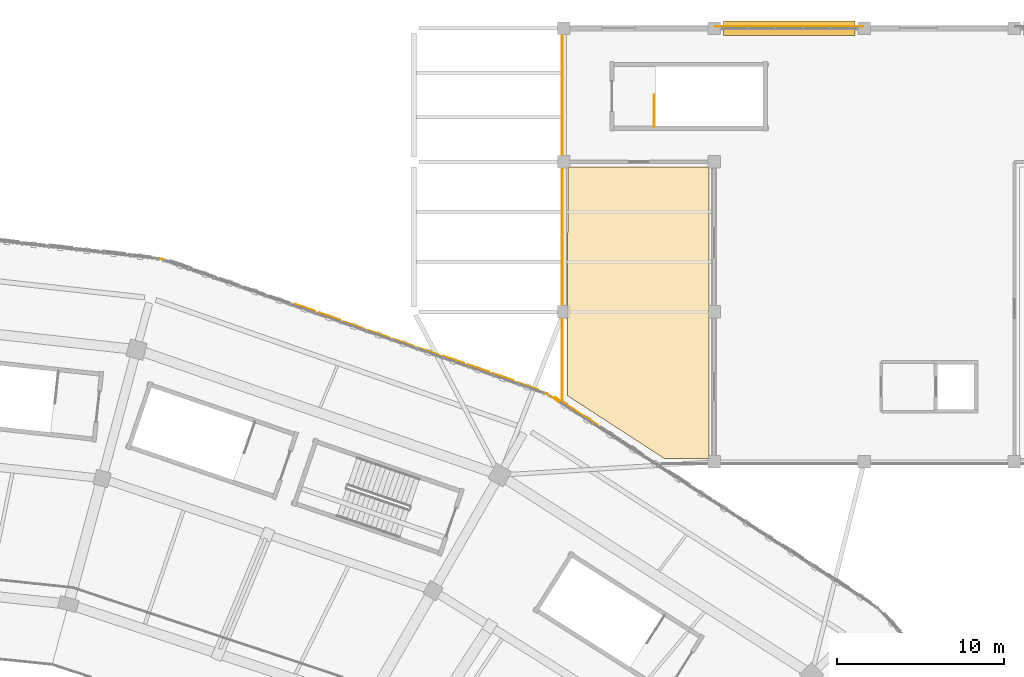
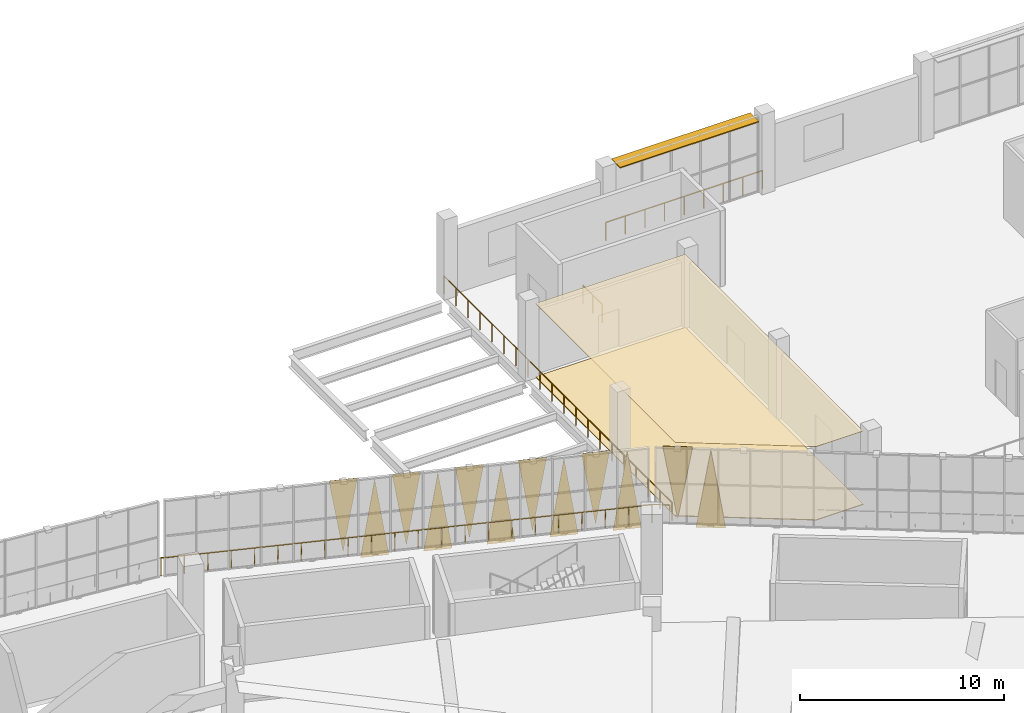
# One storey, part 150 of 152: 14 coverings, 5 railings, 1 shading device.
"""IFC4 building model written with IfcOpenShell, lengths in metres."""

from ifc_helpers import new_model, si_unit, direction, frame, origin, origin_2d, place, context, subcontext, project, spatial, polyline, rectangle, circle, outline, extrude, material, layer, layer_set, type_object, element, save


model = new_model("IFC4")

# Units and contexts
model_context = context("Model", 3, precision=1e-05, world=origin(), true_north=direction((0.0, 1.0)))
body_context = subcontext(model_context, "Body", "Model", "MODEL_VIEW")
ifc_project = project(units=[si_unit("LENGTHUNIT", "METRE"), si_unit("AREAUNIT", "SQUARE_METRE"), si_unit("VOLUMEUNIT", "CUBIC_METRE"), si_unit("PLANEANGLEUNIT", "RADIAN"), si_unit("MASSUNIT", "GRAM", prefix="KILO")], contexts=[model_context])

# Site, building, storey
site_placement = place(None, origin())
site = spatial("IfcSite", under=ifc_project, at=site_placement, CompositionType="ELEMENT")
building_placement = place(site_placement, origin())
building = spatial("IfcBuilding", under=site, at=building_placement, Name="Zevraka Park Crest Stadium", CompositionType="ELEMENT")
storey_placement = place(building_placement, frame((0.0, 0.0, 15.0)))
storey = spatial("IfcBuildingStorey", under=building, at=storey_placement, Name="L03", CompositionType="ELEMENT", Elevation=15.0)

# Coverings
ifc_material_1 = material(Name="Architectural golden-bronze perforated aluminium", Category="aluminium")
ifc_layer_1 = layer(ifc_material_1, 0.034912109375)
ifc_layer_set_1 = layer_set([ifc_layer_1], Name="Architectural golden-bronze perforated aluminium")
covering_type_1 = type_object("IfcCoveringType", Name="CLD01", PredefinedType="CLADDING", material=ifc_layer_set_1)
covering_1_placement = place(storey_placement, frame((163.04296875, 160.177978515625, -0.260009765625), z_axis=(-0.543244378079, -0.839574619231, 6.65484e-05), x_axis=(-0.83957462109, 0.543244379282, 0.0)))
element("IfcCovering", 1, at=covering_1_placement, inside=storey, type_object=covering_type_1, Name="Triangular Golden-Bronze Perforated Cladding L03-03-13", PredefinedType="CLADDING", context=body_context, shape_type="SweptSolid", body=[
    extrude(outline(polyline([(0.0, 0.0), (1.4673306729433993, 6.776263578034403e-21), (0.7338642785051281, -4.620117197730533), (0.0, 0.0)])), origin(), (0.0, 0.0, -1.0), 0.034912109375),
])
covering_2_placement = place(storey_placement, frame((160.445068359375, 161.860107421875, 4.52001953125), z_axis=(-0.543713251999, -0.839271052183, 2.3825329e-05), x_axis=(0.839271052422, -0.543713252153, 0.0)))
element("IfcCovering", 2, at=covering_2_placement, inside=storey, type_object=covering_type_1, Name="Triangular Golden-Bronze Perforated Cladding L03-03-14", PredefinedType="CLADDING", context=body_context, shape_type="SweptSolid", body=[
    extrude(outline(polyline([(0.0, 0.0), (1.4678614140157709, 0.0), (0.7339970782544862, -4.300048829345455), (0.0, 0.0)])), origin(), (0.0, 0.0, -1.0), 0.034912109375),
])
covering_3_placement = place(storey_placement, frame((159.5, 162.322998046875, -0.260009765625), z_axis=(0.33001229605, 0.943976625189, 0.000124706276), x_axis=(-0.94397663253, 0.330012298616, 0.0)))
element("IfcCovering", 3, at=covering_3_placement, inside=storey, type_object=covering_type_1, Name="Triangular Golden-Bronze Perforated Cladding L03-04-1", PredefinedType="CLADDING", context=body_context, shape_type="SweptSolid", body=[
    extrude(outline(polyline([(0.0, 0.0), (1.4152230616345542, 0.0), (0.7074101072951724, 4.620117223425236), (0.0, 0.0)])), origin(), (0.0, 0.0, -1.0), 0.034912109375),
])
covering_4_placement = place(storey_placement, frame((156.677001953125, 163.30908203125, 4.52001953125), z_axis=(-0.32939719824, -0.944191445139, 2.6803822e-05), x_axis=(0.944191445478, -0.329397198358, 0.0)))
element("IfcCovering", 4, at=covering_4_placement, inside=storey, type_object=covering_type_1, Name="Triangular Golden-Bronze Perforated Cladding L03-04-2", PredefinedType="CLADDING", context=body_context, shape_type="SweptSolid", body=[
    extrude(outline(polyline([(0.0, 0.0), (1.4149010843069405, 0.0), (0.7074907517724105, -4.300048829669675), (0.0, 0.0)])), origin(), (0.0, 0.0, -1.0), 0.034912109375),
])
covering_5_placement = place(storey_placement, frame((156.52587890625, 163.362060546875, -0.260009765625), z_axis=(-0.330012297693, -0.943976629887, 7.4823766e-05), x_axis=(-0.94397663253, 0.330012298616, 0.0)))
element("IfcCovering", 5, at=covering_5_placement, inside=storey, type_object=covering_type_1, Name="Triangular Golden-Bronze Perforated Cladding L03-04-3", PredefinedType="CLADDING", context=body_context, shape_type="SweptSolid", body=[
    extrude(outline(polyline([(0.0, 0.0), (1.4152230616345542, 0.0), (0.70773238493054, -4.620117200433086), (0.0, 0.0)])), origin(), (0.0, 0.0, -1.0), 0.034912109375),
])
covering_6_placement = place(storey_placement, frame((153.702880859375, 164.34912109375, 4.52001953125), z_axis=(-0.329958563173, -0.943995408388, 0.000124624382), x_axis=(0.943995415719, -0.329958565735, 0.0)))
element("IfcCovering", 6, at=covering_6_placement, inside=storey, type_object=covering_type_1, Name="Triangular Golden-Bronze Perforated Cladding L03-04-4", PredefinedType="CLADDING", context=body_context, shape_type="SweptSolid", body=[
    extrude(outline(polyline([(0.0, 0.0), (1.415453526972662, 0.0), (0.7080433880278831, -4.3000488615175385), (0.0, 0.0)])), origin(), (0.0, 0.0, -1.0), 0.034912109375),
])
covering_7_placement = place(storey_placement, frame((153.552001953125, 164.402099609375, -0.260009765625), z_axis=(0.329243357705, 0.944245101341, 0.0), x_axis=(-0.944245101341, 0.329243357705, 0.0)))
element("IfcCovering", 7, at=covering_7_placement, inside=storey, type_object=covering_type_1, Name="Triangular Golden-Bronze Perforated Cladding L03-04-5", PredefinedType="CLADDING", context=body_context, shape_type="SweptSolid", body=[
    extrude(outline(polyline([(0.0, 0.0), (1.414820683847903, 0.0), (0.7074103419239515, 4.6201171875), (0.0, 0.0)])), origin(), (0.0, 0.0, -1.0), 0.034912109375),
])
covering_8_placement = place(storey_placement, frame((150.72900390625, 165.387939453125, 4.52001953125), z_axis=(0.330012295654, 0.943976624056, 0.00013398862), x_axis=(0.94397663253, -0.330012298616, 0.0)))
element("IfcCovering", 8, at=covering_8_placement, inside=storey, type_object=covering_type_1, Name="Triangular Golden-Bronze Perforated Cladding L03-04-6", PredefinedType="CLADDING", context=body_context, shape_type="SweptSolid", body=[
    extrude(outline(polyline([(0.0, 0.0), (1.4152230616345545, -6.776263578034403e-21), (0.7074101072951724, 4.300048866724282), (0.0, 0.0)])), origin(), (0.0, 0.0, -1.0), 0.034912109375),
])
covering_9_placement = place(storey_placement, frame((150.577880859375, 165.44091796875, -0.260009765625), z_axis=(0.330012297693, 0.943976629887, 7.4823766e-05), x_axis=(-0.94397663253, 0.330012298616, 0.0)))
element("IfcCovering", 9, at=covering_9_placement, inside=storey, type_object=covering_type_1, Name="Triangular Golden-Bronze Perforated Cladding L03-04-7", PredefinedType="CLADDING", context=body_context, shape_type="SweptSolid", body=[
    extrude(outline(polyline([(0.0, 0.0), (1.4152230616345542, 0.0), (0.7074906767040143, 4.620117200433086), (0.0, 0.0)])), origin(), (0.0, 0.0, -1.0), 0.034912109375),
])
covering_10_placement = place(storey_placement, frame((147.756103515625, 166.427001953125, 4.52001953125), z_axis=(0.329611990515, 0.944116482, 6.4229956e-05), x_axis=(0.944116483947, -0.329611991195, 0.0)))
element("IfcCovering", 10, at=covering_10_placement, inside=storey, type_object=covering_type_1, Name="Triangular Golden-Bronze Perforated Cladding L03-04-8", PredefinedType="CLADDING", context=body_context, shape_type="SweptSolid", body=[
    extrude(outline(polyline([(0.0, 0.0), (1.4139790589388457, -3.3881317890172014e-21), (0.7074102880075812, 4.3000488369948995), (0.0, 0.0)])), origin(), (0.0, 0.0, -1.0), 0.034912109375),
])
covering_11_placement = place(storey_placement, frame((147.60498046875, 166.47998046875, -0.260009765625), z_axis=(-0.33001229605, -0.943976625189, 0.000124706276), x_axis=(-0.94397663253, 0.330012298616, 0.0)))
element("IfcCovering", 11, at=covering_11_placement, inside=storey, type_object=covering_type_1, Name="Triangular Golden-Bronze Perforated Cladding L03-04-9", PredefinedType="CLADDING", context=body_context, shape_type="SweptSolid", body=[
    extrude(outline(polyline([(0.0, 0.0), (1.4152230616345542, 0.0), (0.707812954339382, -4.620117223425236), (0.0, 0.0)])), origin(), (0.0, 0.0, -1.0), 0.034912109375),
])
covering_12_placement = place(storey_placement, frame((144.781982421875, 167.467041015625, 4.52001953125), z_axis=(-0.330012295654, -0.943976624056, 0.00013398862), x_axis=(0.94397663253, -0.330012298616, 0.0)))
element("IfcCovering", 12, at=covering_12_placement, inside=storey, type_object=covering_type_1, Name="Triangular Golden-Bronze Perforated Cladding L03-04-10", PredefinedType="CLADDING", context=body_context, shape_type="SweptSolid", body=[
    extrude(outline(polyline([(0.0, 0.0), (1.4152230616345545, -6.776263578034403e-21), (0.707812954339382, -4.300048866724282), (0.0, 0.0)])), origin(), (0.0, 0.0, -1.0), 0.034912109375),
])
ifc_material_2 = material(Name="Perforated acoustic mineral-fibre suspended ceiling", Category="other")
ifc_layer_2 = layer(ifc_material_2, 0.02490234375)
ifc_layer_set_2 = layer_set([ifc_layer_2], Name="Perforated acoustic mineral-fibre suspended ceiling")
covering_type_2 = type_object("IfcCoveringType", Name="CLG01", PredefinedType="CEILING", material=ifc_layer_set_2)
covering_13_placement = place(storey_placement, frame((0.0, 0.0, 4.39990234375)))
element("IfcCovering", 13, at=covering_13_placement, inside=storey, type_object=covering_type_2, Name="Acoustic Ceiling North Gate Upper Supporters Terrace Lounge L03-047", PredefinedType="CEILING", context=body_context, shape_type="SweptSolid", body=[
    extrude(outline(polyline([(167.02197265625, 158.205078125), (161.20703125, 161.97412109375), (161.23291015625, 175.697021484375), (169.697998046875, 175.673095703125), (169.698974609375, 158.205078125), (167.02197265625, 158.205078125)])), origin(), (0.0, 0.0, 1.0), 0.025146484375),
])
ifc_material_3 = material(Name="Honed terrazzo and slip-resistant sports flooring", Category="other")
ifc_layer_3 = layer(ifc_material_3, 0.0400390625)
ifc_layer_set_3 = layer_set([ifc_layer_3], Name="Honed terrazzo and slip-resistant sports flooring")
covering_type_3 = type_object("IfcCoveringType", Name="FLR01", PredefinedType="FLOORING", material=ifc_layer_set_3)
covering_14_placement = place(storey_placement, origin())
element("IfcCovering", 14, at=covering_14_placement, inside=storey, type_object=covering_type_3, Name="Terrazzo Floor Finish North Gate Upper Supporters Terrace Lounge L03-047", PredefinedType="FLOORING", context=body_context, shape_type="SweptSolid", body=[
    extrude(outline(polyline([(167.02197265625, 158.205078125), (161.20703125, 161.97412109375), (161.23291015625, 175.697021484375), (169.697998046875, 175.673095703125), (169.698974609375, 158.205078125), (167.02197265625, 158.205078125)])), origin(), (0.0, 0.0, 1.0), 0.0400390625),
])

# Railings
ifc_material_4 = material(Name="Galvanised and bronze-finished steel balustrade", Category="steel")
railing_type_1 = type_object("IfcRailingType", Name="GR01", PredefinedType="GUARDRAIL", material=ifc_material_4)
railing_1_placement = place(storey_placement, frame((136.8310546875, 170.1708984375, 0.0)))
element("IfcRailing", 15, at=railing_1_placement, inside=storey, type_object=railing_type_1, Name="Deck Edge Protection Guardrail GR01 L03-9", PredefinedType="GUARDRAIL", context=body_context, shape_type="SweptSolid", body=[
    extrude(circle(Radius=0.02392578125, at=origin_2d()), frame((0.0, 0.0, 1.076171875), z_axis=(0.944015248901, -0.329901818488, 0.0), x_axis=(0.329901818488, 0.944015248901, 0.0)), (0.0, 0.0, 1.0), 24.51025390625),
    extrude(circle(Radius=0.02099609375, at=origin_2d()), origin(), (0.0, 0.0, 1.0), 1.052001953125),
    extrude(circle(Radius=0.02099609375, at=origin_2d()), frame((1.101806640625, -0.385009765625, 0.0)), (0.0, 0.0, 1.0), 1.052001953125),
    extrude(circle(Radius=0.02099609375, at=origin_2d()), frame((2.20361328125, -0.77001953125, 0.0)), (0.0, 0.0, 1.0), 1.052001953125),
    extrude(circle(Radius=0.02099609375, at=origin_2d()), frame((3.305419921875, -1.155029296875, 0.0)), (0.0, 0.0, 1.0), 1.052001953125),
    extrude(circle(Radius=0.02099609375, at=origin_2d()), frame((4.4072265625, -1.540283203125, 0.0)), (0.0, 0.0, 1.0), 1.052001953125),
    extrude(circle(Radius=0.02099609375, at=origin_2d()), frame((5.509033203125, -1.92529296875, 0.0)), (0.0, 0.0, 1.0), 1.052001953125),
    extrude(circle(Radius=0.02099609375, at=origin_2d()), frame((6.61083984375, -2.310302734375, 0.0)), (0.0, 0.0, 1.0), 1.052001953125),
    extrude(circle(Radius=0.02099609375, at=origin_2d()), frame((7.712646484375, -2.6953125, 0.0)), (0.0, 0.0, 1.0), 1.052001953125),
    extrude(circle(Radius=0.02099609375, at=origin_2d()), frame((8.814453125, -3.080322265625, 0.0)), (0.0, 0.0, 1.0), 1.052001953125),
    extrude(circle(Radius=0.02099609375, at=origin_2d()), frame((9.916259765625, -3.46533203125, 0.0)), (0.0, 0.0, 1.0), 1.052001953125),
    extrude(circle(Radius=0.02099609375, at=origin_2d()), frame((11.01806640625, -3.850341796875, 0.0)), (0.0, 0.0, 1.0), 1.052001953125),
    extrude(circle(Radius=0.02099609375, at=origin_2d()), frame((12.119873046875, -4.235595703125, 0.0)), (0.0, 0.0, 1.0), 1.052001953125),
    extrude(circle(Radius=0.02099609375, at=origin_2d()), frame((13.2216796875, -4.62060546875, 0.0)), (0.0, 0.0, 1.0), 1.052001953125),
    extrude(circle(Radius=0.02099609375, at=origin_2d()), frame((14.323486328125, -5.005615234375, 0.0)), (0.0, 0.0, 1.0), 1.052001953125),
    extrude(circle(Radius=0.02099609375, at=origin_2d()), frame((15.42529296875, -5.390625, 0.0)), (0.0, 0.0, 1.0), 1.052001953125),
    extrude(circle(Radius=0.02099609375, at=origin_2d()), frame((16.527099609375, -5.775634765625, 0.0)), (0.0, 0.0, 1.0), 1.052001953125),
    extrude(circle(Radius=0.02099609375, at=origin_2d()), frame((17.62890625, -6.16064453125, 0.0)), (0.0, 0.0, 1.0), 1.052001953125),
    extrude(circle(Radius=0.02099609375, at=origin_2d()), frame((18.730712890625, -6.545654296875, 0.0)), (0.0, 0.0, 1.0), 1.052001953125),
    extrude(circle(Radius=0.02099609375, at=origin_2d()), frame((19.83251953125, -6.930908203125, 0.0)), (0.0, 0.0, 1.0), 1.052001953125),
    extrude(circle(Radius=0.02099609375, at=origin_2d()), frame((20.934326171875, -7.31591796875, 0.0)), (0.0, 0.0, 1.0), 1.052001953125),
    extrude(circle(Radius=0.02099609375, at=origin_2d()), frame((22.0361328125, -7.700927734375, 0.0)), (0.0, 0.0, 1.0), 1.052001953125),
    extrude(circle(Radius=0.02099609375, at=origin_2d()), frame((23.137939453125, -8.0859375, 0.0)), (0.0, 0.0, 1.0), 1.052001953125),
])
railing_2_placement = place(storey_placement, frame((159.968994140625, 162.0849609375, 0.0)))
element("IfcRailing", 16, at=railing_2_placement, inside=storey, type_object=railing_type_1, Name="Deck Edge Protection Guardrail GR01 L03-10", PredefinedType="GUARDRAIL", context=body_context, shape_type="SweptSolid", body=[
    extrude(circle(Radius=0.02392578125, at=origin_2d()), frame((0.0, 0.0, 1.076171875), z_axis=(0.839124444821, -0.543939487538, 0.0), x_axis=(0.543939487538, 0.839124444821, 0.0)), (0.0, 0.0, 1.0), 0.86767578125),
    extrude(circle(Radius=0.02099609375, at=origin_2d()), origin(), (0.0, 0.0, 1.0), 1.052001953125),
    extrude(circle(Radius=0.02099609375, at=origin_2d()), frame((0.72802734375, -0.471923828125, 0.0)), (0.0, 0.0, 1.0), 1.052001953125),
])
railing_3_placement = place(storey_placement, frame((160.89501953125, 161.72412109375, 0.0)))
element("IfcRailing", 17, at=railing_3_placement, inside=storey, type_object=railing_type_1, Name="Deck Edge Protection Guardrail GR01 L03-11", PredefinedType="GUARDRAIL", context=body_context, shape_type="SweptSolid", body=[
    extrude(circle(Radius=0.02392578125, at=origin_2d()), frame((0.0, 0.0, 1.076171875), z_axis=(0.0, 1.0, 0.0), x_axis=(-1.0, 0.0, 0.0)), (0.0, 0.0, 1.0), 22.380859375),
    extrude(circle(Radius=0.02099609375, at=origin_2d()), origin(), (0.0, 0.0, 1.0), 1.052001953125),
    extrude(circle(Radius=0.02099609375, at=origin_2d()), frame((0.0, 1.177978515625, 0.0)), (0.0, 0.0, 1.0), 1.052001953125),
    extrude(circle(Radius=0.02099609375, at=origin_2d()), frame((0.0, 2.35595703125, 0.0)), (0.0, 0.0, 1.0), 1.052001953125),
    extrude(circle(Radius=0.02099609375, at=origin_2d()), frame((0.0, 3.533935546875, 0.0)), (0.0, 0.0, 1.0), 1.052001953125),
    extrude(circle(Radius=0.02099609375, at=origin_2d()), frame((0.0, 4.711669921875, 0.0)), (0.0, 0.0, 1.0), 1.052001953125),
    extrude(circle(Radius=0.02099609375, at=origin_2d()), frame((0.0, 5.8896484375, 0.0)), (0.0, 0.0, 1.0), 1.052001953125),
    extrude(circle(Radius=0.02099609375, at=origin_2d()), frame((0.0, 7.067626953125, 0.0)), (0.0, 0.0, 1.0), 1.052001953125),
    extrude(circle(Radius=0.02099609375, at=origin_2d()), frame((0.0, 8.24560546875, 0.0)), (0.0, 0.0, 1.0), 1.052001953125),
    extrude(circle(Radius=0.02099609375, at=origin_2d()), frame((0.0, 9.423583984375, 0.0)), (0.0, 0.0, 1.0), 1.052001953125),
    extrude(circle(Radius=0.02099609375, at=origin_2d()), frame((0.0, 10.6015625, 0.0)), (0.0, 0.0, 1.0), 1.052001953125),
    extrude(circle(Radius=0.02099609375, at=origin_2d()), frame((0.0, 11.779296875, 0.0)), (0.0, 0.0, 1.0), 1.052001953125),
    extrude(circle(Radius=0.02099609375, at=origin_2d()), frame((0.0, 12.957275390625, 0.0)), (0.0, 0.0, 1.0), 1.052001953125),
    extrude(circle(Radius=0.02099609375, at=origin_2d()), frame((0.0, 14.13525390625, 0.0)), (0.0, 0.0, 1.0), 1.052001953125),
    extrude(circle(Radius=0.02099609375, at=origin_2d()), frame((0.0, 15.313232421875, 0.0)), (0.0, 0.0, 1.0), 1.052001953125),
    extrude(circle(Radius=0.02099609375, at=origin_2d()), frame((0.0, 16.4912109375, 0.0)), (0.0, 0.0, 1.0), 1.052001953125),
    extrude(circle(Radius=0.02099609375, at=origin_2d()), frame((0.0, 17.669189453125, 0.0)), (0.0, 0.0, 1.0), 1.052001953125),
    extrude(circle(Radius=0.02099609375, at=origin_2d()), frame((0.0, 18.846923828125, 0.0)), (0.0, 0.0, 1.0), 1.052001953125),
    extrude(circle(Radius=0.02099609375, at=origin_2d()), frame((0.0, 20.02490234375, 0.0)), (0.0, 0.0, 1.0), 1.052001953125),
    extrude(circle(Radius=0.02099609375, at=origin_2d()), frame((0.0, 21.202880859375, 0.0)), (0.0, 0.0, 1.0), 1.052001953125),
    extrude(circle(Radius=0.02099609375, at=origin_2d()), frame((0.0, 22.380859375, 0.0)), (0.0, 0.0, 1.0), 1.052001953125),
])
railing_4_placement = place(storey_placement, frame((170.06591796875, 184.10498046875, 0.0)))
element("IfcRailing", 18, at=railing_4_placement, inside=storey, type_object=railing_type_1, Name="Deck Edge Protection Guardrail GR01 L03-12", PredefinedType="GUARDRAIL", context=body_context, shape_type="SweptSolid", body=[
    extrude(circle(Radius=0.02392578125, at=origin_2d()), frame((0.0, 0.0, 1.076171875), z_axis=(1.0, 0.0, 0.0), x_axis=(0.0, 1.0, 0.0)), (0.0, 0.0, 1.0), 8.8681640625),
    extrude(circle(Radius=0.02099609375, at=origin_2d()), origin(), (0.0, 0.0, 1.0), 1.052001953125),
    extrude(circle(Radius=0.02099609375, at=origin_2d()), frame((1.1083984375, 0.0, 0.0)), (0.0, 0.0, 1.0), 1.052001953125),
    extrude(circle(Radius=0.02099609375, at=origin_2d()), frame((2.217041015625, 0.0, 0.0)), (0.0, 0.0, 1.0), 1.052001953125),
    extrude(circle(Radius=0.02099609375, at=origin_2d()), frame((3.32568359375, 0.0, 0.0)), (0.0, 0.0, 1.0), 1.052001953125),
    extrude(circle(Radius=0.02099609375, at=origin_2d()), frame((4.43408203125, 0.0, 0.0)), (0.0, 0.0, 1.0), 1.052001953125),
    extrude(circle(Radius=0.02099609375, at=origin_2d()), frame((5.54248046875, 0.0, 0.0)), (0.0, 0.0, 1.0), 1.052001953125),
    extrude(circle(Radius=0.02099609375, at=origin_2d()), frame((6.651123046875, 0.0, 0.0)), (0.0, 0.0, 1.0), 1.052001953125),
    extrude(circle(Radius=0.02099609375, at=origin_2d()), frame((7.759765625, 0.0, 0.0)), (0.0, 0.0, 1.0), 1.052001953125),
    extrude(circle(Radius=0.02099609375, at=origin_2d()), frame((8.8681640625, 0.0, 0.0)), (0.0, 0.0, 1.0), 1.052001953125),
])
ifc_material_5 = material(Name="Powder-coated tubular steel stairwell guard", Category="steel")
railing_type_2 = type_object("IfcRailingType", Name="GR03", PredefinedType="GUARDRAIL", material=ifc_material_5)
railing_5_placement = place(storey_placement, frame((166.39990234375, 178.090087890625, 0.0)))
element("IfcRailing", 19, at=railing_5_placement, inside=storey, type_object=railing_type_2, Name="L03 ST46 top well guard 1", PredefinedType="GUARDRAIL", context=body_context, shape_type="SweptSolid", body=[
    extrude(circle(Radius=0.02392578125, at=origin_2d()), frame((0.0, 0.0, 1.076171875), z_axis=(0.0, 1.0, 0.0), x_axis=(-1.0, 0.0, 0.0)), (0.0, 0.0, 1.0), 1.909912109375),
    extrude(circle(Radius=0.02099609375, at=origin_2d()), origin(), (0.0, 0.0, 1.0), 1.052001953125),
    extrude(circle(Radius=0.02099609375, at=origin_2d()), frame((0.0, 0.955078125, 0.0)), (0.0, 0.0, 1.0), 1.052001953125),
    extrude(circle(Radius=0.02099609375, at=origin_2d()), frame((0.0, 1.909912109375, 0.0)), (0.0, 0.0, 1.0), 1.052001953125),
])

# Shading device
ifc_material_6 = material(Name="Architectural golden-bronze anodised bronze", Category="aluminium")
ifc_layer_4 = layer(ifc_material_6, 0.06005859375)
ifc_layer_set_4 = layer_set([ifc_layer_4], Name="Architectural golden-bronze anodised bronze")
shading_device_type = type_object("IfcShadingDeviceType", Name="SHD01", PredefinedType="USERDEFINED", material=ifc_layer_set_4)
shading_device_placement = place(storey_placement, frame((174.5, 184.0, 4.4599609375), z_axis=(0.0, 0.0, 1.0), x_axis=(1.0, 0.0, 0.0)))
element("IfcShadingDevice", 20, at=shading_device_placement, inside=storey, type_object=shading_device_type, Name="Wing Bronze Solar Screen SHD01 L03-NGATE-N3-2", ObjectType="SOLAR SCREEN", PredefinedType="USERDEFINED", context=body_context, shape_type="SweptSolid", body=[
    extrude(rectangle(XDim=7.8701171875, YDim=0.85009765625, at=origin_2d()), origin(), (0.0, 0.0, 1.0), 0.06005859375),
])

save(model, "model.ifc")
